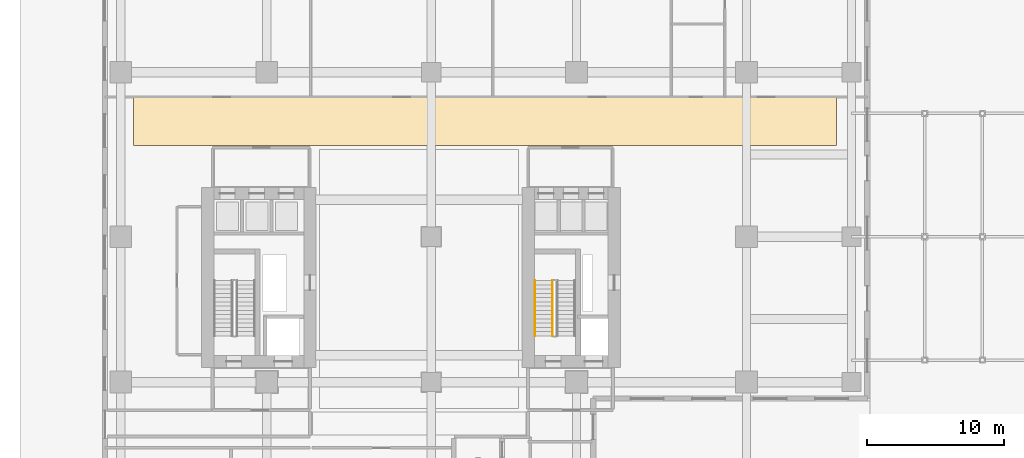
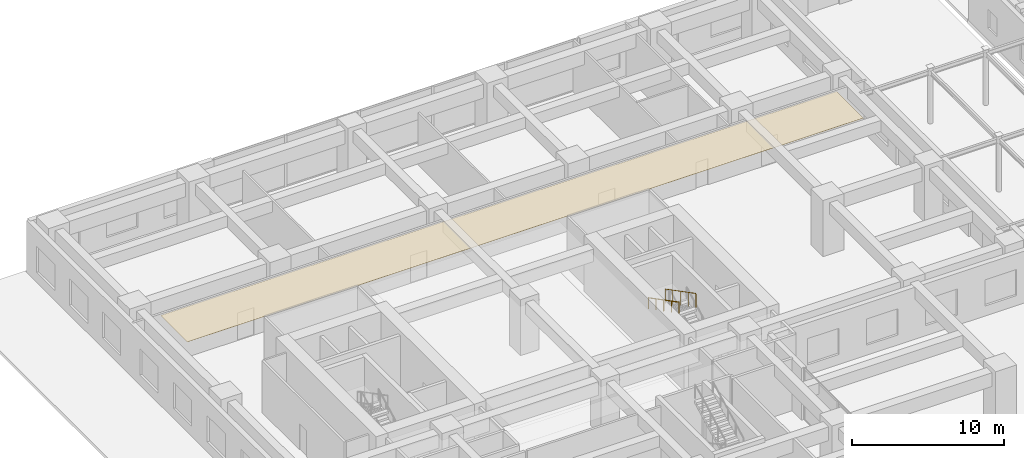
# One storey, part 34 of 39: 2 railings, 1 covering.
"""IFC4 building model written with IfcOpenShell, lengths in metres."""

from ifc_helpers import new_model, si_unit, direction, frame, origin, origin_2d, place, context, subcontext, project, spatial, polyline, circle, outline, extrude, material, layer, layer_set, type_object, element, save


model = new_model("IFC4")

# Units and contexts
model_context = context("Model", 3, precision=1e-05, world=origin(), true_north=direction((0.0, 1.0)))
body_context = subcontext(model_context, "Body", "Model", "MODEL_VIEW")
ifc_project = project(units=[si_unit("LENGTHUNIT", "METRE"), si_unit("AREAUNIT", "SQUARE_METRE"), si_unit("VOLUMEUNIT", "CUBIC_METRE"), si_unit("PLANEANGLEUNIT", "RADIAN"), si_unit("MASSUNIT", "GRAM", prefix="KILO")], contexts=[model_context])

# Site, building, storey
site_placement = place(None, origin())
site = spatial("IfcSite", under=ifc_project, at=site_placement, CompositionType="ELEMENT")
building_placement = place(site_placement, origin())
building = spatial("IfcBuilding", under=site, at=building_placement, Name="Khoralis Quay Care Tower", CompositionType="ELEMENT")
storey_placement = place(building_placement, origin())
storey = spatial("IfcBuildingStorey", under=building, at=storey_placement, Name="L00", CompositionType="ELEMENT", Elevation=0.0)

# Covering
ifc_material_1 = material(Name="Mineral-fibre acoustic ceiling tile")
ifc_layer = layer(ifc_material_1, 0.01806640625)
ifc_layer_set = layer_set([ifc_layer], Name="Mineral-fibre acoustic ceiling tile")
covering_type = type_object("IfcCoveringType", Name="COV-CEIL-AC18", PredefinedType="CEILING", material=ifc_layer_set)
covering_placement = place(storey_placement, frame((0.0, 0.0, 4.011962890625)))
element("IfcCovering", 1, at=covering_placement, inside=storey, type_object=covering_type, Name="Suspended Acoustic Ceiling SP-L00-PCORR-N", PredefinedType="CEILING", context=body_context, shape_type="SweptSolid", body=[
    extrude(outline(polyline([(2.2900390625, 30.639892578125), (53.56005859375, 30.639892578125), (53.56005859375, 34.159912109375), (2.2900390625, 34.159912109375), (2.2900390625, 30.639892578125)])), origin(), (0.0, 0.0, 1.0), 0.01806640625),
])

# Railings
ifc_material_2 = material(Name="Brushed stainless steel", Category="steel")
railing_type_1 = type_object("IfcRailingType", Name="RL-GUARD-1150", PredefinedType="GUARDRAIL", material=ifc_material_2)
railing_1_placement = place(storey_placement, frame((32.85009765625, 20.800048828125, 2.41064453125)))
element("IfcRailing", 2, at=railing_1_placement, inside=storey, type_object=railing_type_1, Name="L00 ST-T2 stair guard 3", PredefinedType="GUARDRAIL", context=body_context, shape_type="SweptSolid", body=[
    extrude(circle(Radius=0.02392578125, at=origin_2d()), frame((0.0, 0.0, 1.1259765625), z_axis=(0.0, -0.887780577991, 0.46026692836), x_axis=(1.0, 0.0, 0.0)), (0.0, 0.0, 1.0), 4.53955078125),
    extrude(circle(Radius=0.02099609375, at=origin_2d()), origin(), (0.0, 0.0, 1.0), 1.101806640625),
    extrude(circle(Radius=0.02099609375, at=origin_2d()), frame((0.0, -1.007568359375, 0.5224609375)), (0.0, 0.0, 1.0), 1.101806640625),
    extrude(circle(Radius=0.02099609375, at=origin_2d()), frame((0.0, -2.01513671875, 1.044677734375)), (0.0, 0.0, 1.0), 1.101806640625),
    extrude(circle(Radius=0.02099609375, at=origin_2d()), frame((0.0, -3.0224609375, 1.56689453125)), (0.0, 0.0, 1.0), 1.101806640625),
    extrude(circle(Radius=0.02099609375, at=origin_2d()), frame((0.0, -4.030029296875, 2.08935546875)), (0.0, 0.0, 1.0), 1.101806640625),
])
railing_type_2 = type_object("IfcRailingType", Name="RL-HAND-900", PredefinedType="HANDRAIL", material=ifc_material_2)
railing_2_placement = place(storey_placement, frame((31.570068359375, 20.800048828125, 2.41064453125)))
element("IfcRailing", 3, at=railing_2_placement, inside=storey, type_object=railing_type_2, Name="L00 ST-T2 stair handrail 2", PredefinedType="HANDRAIL", context=body_context, shape_type="SweptSolid", body=[
    extrude(circle(Radius=0.02392578125, at=origin_2d()), frame((0.0, 0.0, 0.8759765625), z_axis=(0.0, -0.887780577991, 0.46026692836), x_axis=(1.0, 0.0, 0.0)), (0.0, 0.0, 1.0), 4.53955078125),
    extrude(circle(Radius=0.02099609375, at=origin_2d()), origin(), (0.0, 0.0, 1.0), 0.851806640625),
    extrude(circle(Radius=0.02099609375, at=origin_2d()), frame((0.0, -1.007568359375, 0.5224609375)), (0.0, 0.0, 1.0), 0.851806640625),
    extrude(circle(Radius=0.02099609375, at=origin_2d()), frame((0.0, -2.01513671875, 1.044677734375)), (0.0, 0.0, 1.0), 0.851806640625),
    extrude(circle(Radius=0.02099609375, at=origin_2d()), frame((0.0, -3.0224609375, 1.56689453125)), (0.0, 0.0, 1.0), 0.851806640625),
    extrude(circle(Radius=0.02099609375, at=origin_2d()), frame((0.0, -4.030029296875, 2.08935546875)), (0.0, 0.0, 1.0), 0.851806640625),
])

save(model, "model.ifc")
